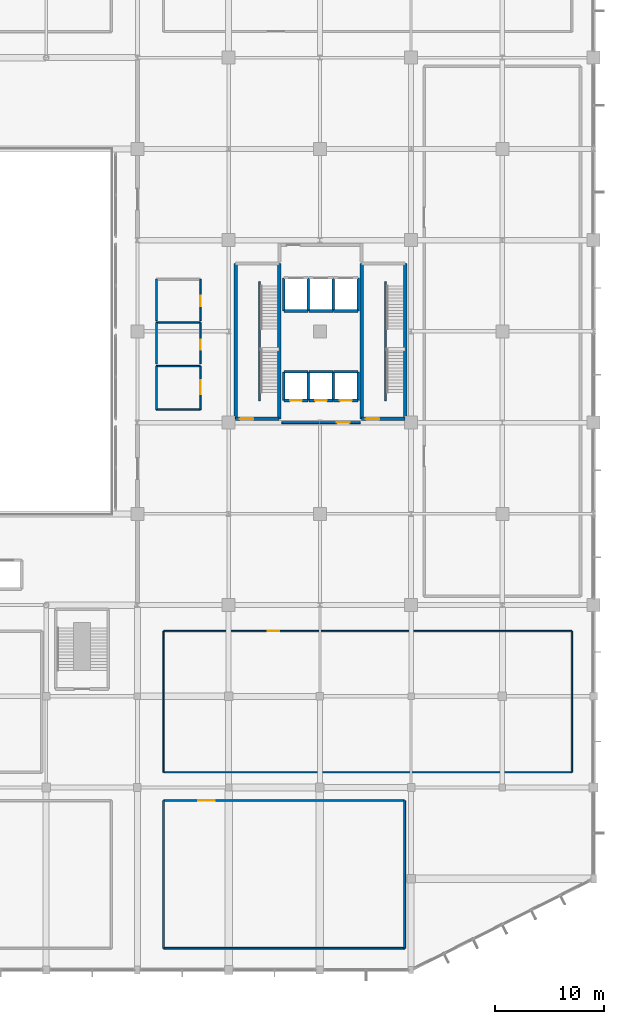
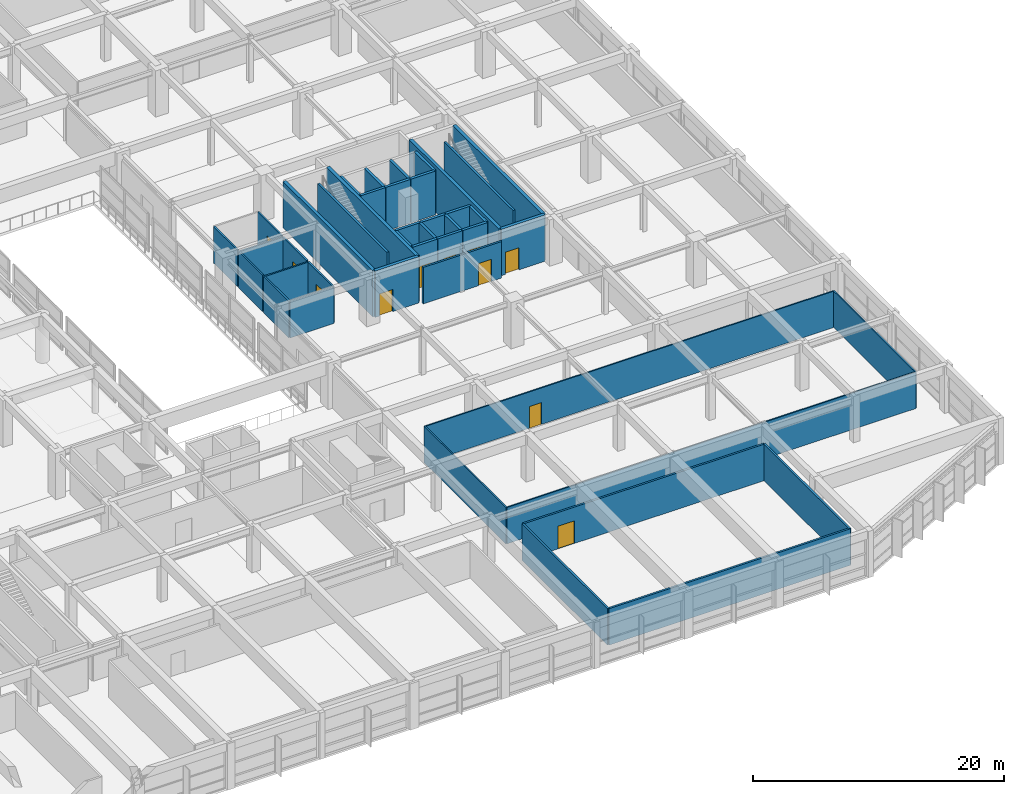
# One storey, part 55 of 65: 43 walls, 11 doors, 11 openings.
"""IFC4 building model written with IfcOpenShell, lengths in metres."""

from ifc_helpers import new_model, si_unit, direction, frame, frame_2d, origin, place, context, subcontext, project, spatial, rectangle, extrude, material, layer, layer_set, type_object, element, fill, save


model = new_model("IFC4")

# Units and contexts
model_context = context("Model", 3, precision=1e-05, world=origin(), true_north=direction((0.0, 1.0)))
body_context = subcontext(model_context, "Body", "Model", "MODEL_VIEW")
ifc_project = project(units=[si_unit("LENGTHUNIT", "METRE"), si_unit("AREAUNIT", "SQUARE_METRE"), si_unit("VOLUMEUNIT", "CUBIC_METRE"), si_unit("PLANEANGLEUNIT", "RADIAN"), si_unit("MASSUNIT", "GRAM", prefix="KILO")], contexts=[model_context])

# Site, building, storey
site_placement = place(None, origin())
site = spatial("IfcSite", under=ifc_project, at=site_placement, CompositionType="ELEMENT")
building_placement = place(site_placement, origin())
building = spatial("IfcBuilding", under=site, at=building_placement, Name="Xuanlan Plaza Opera House", CompositionType="ELEMENT")
storey_placement = place(building_placement, frame((0.0, 0.0, 5.39990234375)))
storey = spatial("IfcBuildingStorey", under=building, at=storey_placement, Name="L01", CompositionType="ELEMENT", Elevation=5.39990234375)

# Wall, opening, door
ifc_material_1 = material(Name="Gypsum Board and Galvanised Steel Studs", Category="gypsum")
ifc_layer_1 = layer(ifc_material_1, 0.179931640625)
ifc_layer_set_1 = layer_set([ifc_layer_1], Name="Gypsum Board and Galvanised Steel Studs")
wall_type_1 = type_object("IfcWallType", Name="INT-WL-PW-02", PredefinedType="PARTITIONING", material=ifc_layer_set_1)
wall_1_placement = place(storey_placement, frame((139.300048828125, 50.39990234375, 0.0), z_axis=(0.0, 0.0, 1.0), x_axis=(1.0, 0.0, 0.0)))
wall_1 = element("IfcWall", 1, at=wall_1_placement, inside=storey, type_object=wall_type_1, Name="Tower Lift Lobby Wall South", PredefinedType="PARTITIONING", context=body_context, shape_type="SweptSolid", body=[
    extrude(rectangle(XDim=7.199951171875, YDim=0.179931640625, at=frame_2d((3.60009765625, 0.0))), origin(), (0.0, 0.0, 1.0), 3.5400390625),
])
opening_1_placement = place(wall_1_placement, frame((5.050048828125, 0.0, 0.0)))
opening_1 = element("IfcOpeningElement", 2, at=opening_1_placement, cuts=wall_1, Name="Opening FD-02", PredefinedType="OPENING", context=body_context, shape_type="SweptSolid", body=[
    extrude(rectangle(XDim=1.199951171875, YDim=2.14990234375, at=frame_2d((0.60009765625, 1.074951171875))), frame((0.0, 0.099853515625, 0.0), z_axis=(0.0, -1.0, 0.0), x_axis=(1.0, 0.0, 0.0)), (0.0, 0.0, 1.0), 0.199951171875),
])
ifc_material_2 = material(Name="Galvanised Steel Q235B", Category="steel")
door_type_1 = type_object("IfcDoorType", Name="INT-DR-FD-02", OperationType="NOTDEFINED", PredefinedType="DOOR", material=ifc_material_2)
door_1_placement = place(opening_1_placement, frame((1.199951171875, 0.0, 0.0), z_axis=(0.0, 0.0, 1.0), x_axis=(-1.0, 0.0, 0.0)))
door_1 = element("IfcDoor", 3, at=door_1_placement, inside=storey, type_object=door_type_1, Name="Tower Lift Lobby Door 1", OperationType="SINGLE_SWING_RIGHT", OverallHeight=2.14990234375, OverallWidth=1.199951171875, PredefinedType="DOOR", context=body_context, shape_type="SweptSolid", body=[
    extrude(rectangle(XDim=1.199951171875, YDim=2.14990234375, at=frame_2d((0.60009765625, 1.074951171875))), frame((0.0, 0.02490234375, 0.0), z_axis=(0.0, -1.0, 0.0), x_axis=(1.0, 0.0, 0.0)), (0.0, 0.0, 1.0), 0.050048828125),
])
fill(opening_1, door_1)

# Wall
wall_2_placement = place(storey_placement, frame((128.39990234375, 2.0, 0.0), z_axis=(0.0, 0.0, 1.0), x_axis=(1.0, 0.0, 0.0)))
element("IfcWall", 4, at=wall_2_placement, inside=storey, type_object=wall_type_1, Name="Wig and Millinery Workshop Wall South", PredefinedType="PARTITIONING", context=body_context, shape_type="SweptSolid", body=[
    extrude(rectangle(XDim=22.2001953125, YDim=0.179931640625, at=frame_2d((11.10009765625, 0.0))), origin(), (0.0, 0.0, 1.0), 3.5400390625),
])

# Wall, opening, door
wall_3_placement = place(storey_placement, frame((128.39990234375, 15.60009765625, 0.0), z_axis=(0.0, 0.0, 1.0), x_axis=(1.0, 0.0, 0.0)))
wall_3 = element("IfcWall", 5, at=wall_3_placement, inside=storey, type_object=wall_type_1, Name="Wig and Millinery Workshop Wall North", PredefinedType="PARTITIONING", context=body_context, shape_type="SweptSolid", body=[
    extrude(rectangle(XDim=22.2001953125, YDim=0.179931640625, at=frame_2d((11.10009765625, 0.0))), origin(), (0.0, 0.0, 1.0), 3.5400390625),
])
opening_2_placement = place(wall_3_placement, frame((3.199951171875, 0.0, 0.0)))
opening_2 = element("IfcOpeningElement", 6, at=opening_2_placement, cuts=wall_3, Name="Opening D-03", PredefinedType="OPENING", context=body_context, shape_type="SweptSolid", body=[
    extrude(rectangle(XDim=1.5, YDim=2.199951171875, at=frame_2d((0.75, 1.10009765625))), frame((0.0, 0.099853515625, 0.0), z_axis=(0.0, -1.0, 0.0), x_axis=(1.0, 0.0, 0.0)), (0.0, 0.0, 1.0), 0.199951171875),
])
ifc_material_3 = material(Name="Walnut Hardwood Timber", Category="wood")
door_type_2 = type_object("IfcDoorType", Name="INT-DR-D-03", OperationType="DOUBLE_DOOR_SINGLE_SWING", PredefinedType="DOOR", material=ifc_material_3)
door_2_placement = place(opening_2_placement, origin())
door_2 = element("IfcDoor", 7, at=door_2_placement, inside=storey, type_object=door_type_2, Name="Wig and Millinery Workshop Door 1", OperationType="DOUBLE_DOOR_SINGLE_SWING", OverallHeight=2.199951171875, OverallWidth=1.5, PredefinedType="DOOR", context=body_context, shape_type="SweptSolid", body=[
    extrude(rectangle(XDim=1.5, YDim=2.199951171875, at=frame_2d((0.75, 1.10009765625))), frame((0.0, 0.02490234375, 0.0), z_axis=(0.0, -1.0, 0.0), x_axis=(1.0, 0.0, 0.0)), (0.0, 0.0, 1.0), 0.050048828125),
])
fill(opening_2, door_2)

# Walls
for number, where, z_axis, x_axis, name in (
    (8, (128.39990234375, 2.0, 0.0), (0.0, 0.0, 1.0), (0.0, 1.0, 0.0), "Wig and Millinery Workshop Wall West"),
    (9, (150.60009765625, 2.0, 0.0), (0.0, 0.0, 1.0), (0.0, 1.0, 0.0), "Wig and Millinery Workshop Wall East"),
):
    element("IfcWall", number, at=place(storey_placement, frame(where, z_axis=z_axis, x_axis=x_axis)), inside=storey, type_object=wall_type_1, Name=name, PredefinedType="PARTITIONING", context=body_context, shape_type="SweptSolid", body=[
        extrude(rectangle(XDim=13.60009765625, YDim=0.179931640625, at=frame_2d((6.800048828125, 0.0))), origin(), (0.0, 0.0, 1.0), 3.5400390625),
    ])
ifc_material_4 = material(Name="Autoclaved Aerated Blockwork Masonry", Category="masonry")
ifc_layer_2 = layer(ifc_material_4, 0.14990234375)
ifc_layer_set_2 = layer_set([ifc_layer_2], Name="Autoclaved Aerated Blockwork Masonry")
wall_type_2 = type_object("IfcWallType", Name="INT-WL-PW-03", PredefinedType="PARTITIONING", material=ifc_layer_set_2)
for number, where, z_axis, x_axis, name in (
    (10, (127.75, 51.60009765625, 0.0), (0.0, 0.0, 1.0), (1.0, 0.0, 0.0), "Public WC Wall South"),
    (11, (127.75, 55.60009765625, 0.0), (0.0, 0.0, 1.0), (1.0, 0.0, 0.0), "Public WC Wall North"),
):
    element("IfcWall", number, at=place(storey_placement, frame(where, z_axis=z_axis, x_axis=x_axis)), inside=storey, type_object=wall_type_2, Name=name, PredefinedType="PARTITIONING", context=body_context, shape_type="SweptSolid", body=[
        extrude(rectangle(XDim=4.050048828125, YDim=0.14990234375, at=frame_2d((2.02490234375, 0.0))), origin(), (0.0, 0.0, 1.0), 3.5400390625),
    ])
wall_4_placement = place(storey_placement, frame((127.75, 51.60009765625, 0.0), z_axis=(0.0, 0.0, 1.0), x_axis=(0.0, 1.0, 0.0)))
element("IfcWall", 12, at=wall_4_placement, inside=storey, type_object=wall_type_2, Name="Public WC Wall West", PredefinedType="PARTITIONING", context=body_context, shape_type="SweptSolid", body=[
    extrude(rectangle(XDim=4.0, YDim=0.14990234375, at=frame_2d((2.0, 0.0))), origin(), (0.0, 0.0, 1.0), 3.5400390625),
])

# Wall, opening, door
wall_5_placement = place(storey_placement, frame((131.800048828125, 51.60009765625, 0.0), z_axis=(0.0, 0.0, 1.0), x_axis=(0.0, 1.0, 0.0)))
wall_5 = element("IfcWall", 13, at=wall_5_placement, inside=storey, type_object=wall_type_2, Name="Public WC Wall East", PredefinedType="PARTITIONING", context=body_context, shape_type="SweptSolid", body=[
    extrude(rectangle(XDim=4.0, YDim=0.14990234375, at=frame_2d((2.0, 0.0))), origin(), (0.0, 0.0, 1.0), 3.5400390625),
])
opening_3_placement = place(wall_5_placement, frame((1.39990234375, 0.0, 0.0)))
opening_3 = element("IfcOpeningElement", 14, at=opening_3_placement, cuts=wall_5, Name="Opening D-07", PredefinedType="OPENING", context=body_context, shape_type="SweptSolid", body=[
    extrude(rectangle(XDim=1.320068359375, YDim=2.179931640625, at=frame_2d((0.66015625, 1.08984375))), frame((0.0, 0.0849609375, 0.0), z_axis=(0.0, -1.0, 0.0), x_axis=(1.0, 0.0, 0.0)), (0.0, 0.0, 1.0), 0.169921875),
])
door_type_3 = type_object("IfcDoorType", Name="INT-DR-D-07", OperationType="NOTDEFINED", PredefinedType="DOOR", material=ifc_material_3)
door_3_placement = place(opening_3_placement, origin())
door_3 = element("IfcDoor", 15, at=door_3_placement, inside=storey, type_object=door_type_3, Name="Public WC Door 1", OperationType="SINGLE_SWING_LEFT", OverallHeight=2.179931640625, OverallWidth=1.320068359375, PredefinedType="DOOR", context=body_context, shape_type="SweptSolid", body=[
    extrude(rectangle(XDim=1.320068359375, YDim=2.179931640625, at=frame_2d((0.66015625, 1.08984375))), frame((0.0, 0.02490234375, 0.0), z_axis=(0.0, -1.0, 0.0), x_axis=(1.0, 0.0, 0.0)), (0.0, 0.0, 1.0), 0.050048828125),
])
fill(opening_3, door_3)

# Walls
wall_6_placement = place(storey_placement, frame((127.75, 59.60009765625, 0.0), z_axis=(0.0, 0.0, 1.0), x_axis=(1.0, 0.0, 0.0)))
element("IfcWall", 16, at=wall_6_placement, inside=storey, type_object=wall_type_2, Name="Staff WC Wall North", PredefinedType="PARTITIONING", context=body_context, shape_type="SweptSolid", body=[
    extrude(rectangle(XDim=4.050048828125, YDim=0.14990234375, at=frame_2d((2.02490234375, 0.0))), origin(), (0.0, 0.0, 1.0), 3.5400390625),
])
wall_7_placement = place(storey_placement, frame((127.75, 55.800048828125, 0.0), z_axis=(0.0, 0.0, 1.0), x_axis=(0.0, 1.0, 0.0)))
element("IfcWall", 17, at=wall_7_placement, inside=storey, type_object=wall_type_2, Name="Staff WC Wall West", PredefinedType="PARTITIONING", context=body_context, shape_type="SweptSolid", body=[
    extrude(rectangle(XDim=3.800048828125, YDim=0.14990234375, at=frame_2d((1.89990234375, 0.0))), origin(), (0.0, 0.0, 1.0), 3.5400390625),
])

# Wall, opening, door
wall_8_placement = place(storey_placement, frame((131.800048828125, 55.800048828125, 0.0), z_axis=(0.0, 0.0, 1.0), x_axis=(0.0, 1.0, 0.0)))
wall_8 = element("IfcWall", 18, at=wall_8_placement, inside=storey, type_object=wall_type_2, Name="Staff WC Wall East", PredefinedType="PARTITIONING", context=body_context, shape_type="SweptSolid", body=[
    extrude(rectangle(XDim=3.800048828125, YDim=0.14990234375, at=frame_2d((1.89990234375, 0.0))), origin(), (0.0, 0.0, 1.0), 3.5400390625),
])
opening_4_placement = place(wall_8_placement, frame((1.300048828125, 0.0, 0.0)))
opening_4 = element("IfcOpeningElement", 19, at=opening_4_placement, cuts=wall_8, Name="Opening D-01", PredefinedType="OPENING", context=body_context, shape_type="SweptSolid", body=[
    extrude(rectangle(XDim=0.949951171875, YDim=2.10009765625, at=frame_2d((0.47509765625, 1.050048828125))), frame((0.0, 0.0849609375, 0.0), z_axis=(0.0, -1.0, 0.0), x_axis=(1.0, 0.0, 0.0)), (0.0, 0.0, 1.0), 0.169921875),
])
door_type_4 = type_object("IfcDoorType", Name="INT-DR-D-01", OperationType="NOTDEFINED", PredefinedType="DOOR", material=ifc_material_3)
door_4_placement = place(opening_4_placement, origin())
door_4 = element("IfcDoor", 20, at=door_4_placement, inside=storey, type_object=door_type_4, Name="Staff WC Door 1", OperationType="SINGLE_SWING_RIGHT", OverallHeight=2.10009765625, OverallWidth=0.949951171875, PredefinedType="DOOR", context=body_context, shape_type="SweptSolid", body=[
    extrude(rectangle(XDim=0.949951171875, YDim=2.10009765625, at=frame_2d((0.47509765625, 1.050048828125))), frame((0.0, 0.02490234375, 0.0), z_axis=(0.0, -1.0, 0.0), x_axis=(1.0, 0.0, 0.0)), (0.0, 0.0, 1.0), 0.050048828125),
])
fill(opening_4, door_4)

# Wall
wall_9_placement = place(storey_placement, frame((127.75, 59.800048828125, 0.0), z_axis=(0.0, 0.0, 1.0), x_axis=(0.0, 1.0, 0.0)))
element("IfcWall", 21, at=wall_9_placement, inside=storey, type_object=wall_type_2, Name="Accessible WC Wall West", PredefinedType="PARTITIONING", context=body_context, shape_type="SweptSolid", body=[
    extrude(rectangle(XDim=3.800048828125, YDim=0.14990234375, at=frame_2d((1.89990234375, 0.0))), origin(), (0.0, 0.0, 1.0), 3.5400390625),
])

# Wall, opening, door
wall_10_placement = place(storey_placement, frame((131.800048828125, 59.800048828125, 0.0), z_axis=(0.0, 0.0, 1.0), x_axis=(0.0, 1.0, 0.0)))
wall_10 = element("IfcWall", 22, at=wall_10_placement, inside=storey, type_object=wall_type_2, Name="Accessible WC Wall East", PredefinedType="PARTITIONING", context=body_context, shape_type="SweptSolid", body=[
    extrude(rectangle(XDim=3.800048828125, YDim=0.14990234375, at=frame_2d((1.89990234375, 0.0))), origin(), (0.0, 0.0, 1.0), 3.5400390625),
])
opening_5_placement = place(wall_10_placement, frame((1.300048828125, 0.0, 0.0)))
opening_5 = element("IfcOpeningElement", 23, at=opening_5_placement, cuts=wall_10, Name="Opening D-09", PredefinedType="OPENING", context=body_context, shape_type="SweptSolid", body=[
    extrude(rectangle(XDim=0.97998046875, YDim=2.1201171875, at=frame_2d((0.489990234375, 1.06005859375))), frame((0.0, 0.0849609375, 0.0), z_axis=(0.0, -1.0, 0.0), x_axis=(1.0, 0.0, 0.0)), (0.0, 0.0, 1.0), 0.169921875),
])
door_type_5 = type_object("IfcDoorType", Name="INT-DR-D-09", OperationType="NOTDEFINED", PredefinedType="DOOR", material=ifc_material_3)
door_5_placement = place(opening_5_placement, origin())
door_5 = element("IfcDoor", 24, at=door_5_placement, inside=storey, type_object=door_type_5, Name="Accessible WC Door 1", OperationType="SINGLE_SWING_LEFT", OverallHeight=2.1201171875, OverallWidth=0.97998046875, PredefinedType="DOOR", context=body_context, shape_type="SweptSolid", body=[
    extrude(rectangle(XDim=0.97998046875, YDim=2.1201171875, at=frame_2d((0.489990234375, 1.06005859375))), frame((0.0, 0.02490234375, 0.0), z_axis=(0.0, -1.0, 0.0), x_axis=(1.0, 0.0, 0.0)), (0.0, 0.0, 1.0), 0.050048828125),
])
fill(opening_5, door_5)

# Wall
ifc_layer_3 = layer(ifc_material_1, 0.1201171875)
ifc_layer_set_3 = layer_set([ifc_layer_3], Name="Gypsum Board and Galvanised Steel Studs")
wall_type_3 = type_object("IfcWallType", Name="INT-WL-PW-04", PredefinedType="PARTITIONING", material=ifc_layer_set_3)
wall_11_placement = place(storey_placement, frame((128.39990234375, 18.199951171875, 0.0), z_axis=(0.0, 0.0, 1.0), x_axis=(1.0, 0.0, 0.0)))
element("IfcWall", 25, at=wall_11_placement, inside=storey, type_object=wall_type_3, Name="Resident Company Administration Office Wall South", PredefinedType="PARTITIONING", context=body_context, shape_type="SweptSolid", body=[
    extrude(rectangle(XDim=37.60009765625, YDim=0.1201171875, at=frame_2d((18.800048828125, 0.0))), origin(), (0.0, 0.0, 1.0), 3.5400390625),
])

# Wall, opening, door
wall_12_placement = place(storey_placement, frame((128.39990234375, 31.199951171875, 0.0), z_axis=(0.0, 0.0, 1.0), x_axis=(1.0, 0.0, 0.0)))
wall_12 = element("IfcWall", 26, at=wall_12_placement, inside=storey, type_object=wall_type_3, Name="Resident Company Administration Office Wall North", PredefinedType="PARTITIONING", context=body_context, shape_type="SweptSolid", body=[
    extrude(rectangle(XDim=37.60009765625, YDim=0.1201171875, at=frame_2d((18.800048828125, 0.0))), origin(), (0.0, 0.0, 1.0), 3.5400390625),
])
opening_6_placement = place(wall_12_placement, frame((9.60009765625, 0.0, 0.0)))
opening_6 = element("IfcOpeningElement", 27, at=opening_6_placement, cuts=wall_12, Name="Opening D-06", PredefinedType="OPENING", context=body_context, shape_type="SweptSolid", body=[
    extrude(rectangle(XDim=1.080078125, YDim=2.1201171875, at=frame_2d((0.5400390625, 1.06005859375))), frame((0.0, 0.070068359375, 0.0), z_axis=(0.0, -1.0, 0.0), x_axis=(1.0, 0.0, 0.0)), (0.0, 0.0, 1.0), 0.14013671875),
])
ifc_material_5 = material(Name="Oak Hardwood Timber", Category="wood")
door_type_6 = type_object("IfcDoorType", Name="INT-DR-D-06", OperationType="NOTDEFINED", PredefinedType="DOOR", material=ifc_material_5)
door_6_placement = place(opening_6_placement, origin())
door_6 = element("IfcDoor", 28, at=door_6_placement, inside=storey, type_object=door_type_6, Name="Resident Company Administration Office Door 1", OperationType="SINGLE_SWING_RIGHT", OverallHeight=2.1201171875, OverallWidth=1.080078125, PredefinedType="DOOR", context=body_context, shape_type="SweptSolid", body=[
    extrude(rectangle(XDim=1.080078125, YDim=2.1201171875, at=frame_2d((0.5400390625, 1.06005859375))), frame((0.0, 0.02490234375, 0.0), z_axis=(0.0, -1.0, 0.0), x_axis=(1.0, 0.0, 0.0)), (0.0, 0.0, 1.0), 0.050048828125),
])
fill(opening_6, door_6)

# Walls
for number, where, z_axis, x_axis, name in (
    (29, (128.39990234375, 18.199951171875, 0.0), (0.0, 0.0, 1.0), (0.0, 1.0, 0.0), "Resident Company Administration Office Wall West"),
    (30, (166.0, 18.199951171875, 0.0), (0.0, 0.0, 1.0), (0.0, 1.0, 0.0), "Resident Company Administration Office Wall East"),
):
    element("IfcWall", number, at=place(storey_placement, frame(where, z_axis=z_axis, x_axis=x_axis)), inside=storey, type_object=wall_type_3, Name=name, PredefinedType="PARTITIONING", context=body_context, shape_type="SweptSolid", body=[
        extrude(rectangle(XDim=13.0, YDim=0.1201171875, at=frame_2d((6.5, 0.0))), origin(), (0.0, 0.0, 1.0), 3.5400390625),
    ])
ifc_material_6 = material(Name="Concrete C40", Category="concrete")
ifc_layer_4 = layer(ifc_material_6, 0.25)
ifc_layer_set_4 = layer_set([ifc_layer_4], Name="Concrete C40")
wall_type_4 = type_object("IfcWallType", Name="INT-WL-SW-LF1", PredefinedType="SHEAR", material=ifc_layer_set_4)
wall_13_placement = place(storey_placement, frame((139.47509765625, 60.675048828125, 0.0), z_axis=(0.0, 0.0, 1.0), x_axis=(1.0, 0.0, 0.0)))
element("IfcWall", 31, at=wall_13_placement, inside=storey, type_object=wall_type_4, Name="Lift Shaft Wall LF-FF1 L01 South", PredefinedType="SHEAR", context=body_context, shape_type="SweptSolid", body=[
    extrude(rectangle(XDim=2.25, YDim=0.25, at=frame_2d((1.125, 0.0))), origin(), (0.0, 0.0, 1.0), 4.239990234375),
])
for number, where, z_axis, x_axis, name in (
    (32, (139.47509765625, 60.675048828125, 0.0), (0.0, 0.0, 1.0), (0.0, 1.0, 0.0), "Lift Shaft Wall LF-FF1 L01 West"),
    (33, (141.72509765625, 60.675048828125, 0.0), (0.0, 0.0, 1.0), (0.0, 1.0, 0.0), "Lift Shaft Wall LF-FF1 L01 East"),
):
    element("IfcWall", number, at=place(storey_placement, frame(where, z_axis=z_axis, x_axis=x_axis)), inside=storey, type_object=wall_type_4, Name=name, PredefinedType="SHEAR", context=body_context, shape_type="SweptSolid", body=[
        extrude(rectangle(XDim=3.050048828125, YDim=0.25, at=frame_2d((1.52490234375, 0.0))), origin(), (0.0, 0.0, 1.0), 4.239990234375),
    ])
wall_14_placement = place(storey_placement, frame((141.77490234375, 60.675048828125, 0.0), z_axis=(0.0, 0.0, 1.0), x_axis=(1.0, 0.0, 0.0)))
element("IfcWall", 34, at=wall_14_placement, inside=storey, type_object=wall_type_4, Name="Lift Shaft Wall LF-FF2 L01 South", PredefinedType="SHEAR", context=body_context, shape_type="SweptSolid", body=[
    extrude(rectangle(XDim=2.25, YDim=0.25, at=frame_2d((1.125, 0.0))), origin(), (0.0, 0.0, 1.0), 4.239990234375),
])
wall_15_placement = place(storey_placement, frame((144.02490234375, 60.675048828125, 0.0), z_axis=(0.0, 0.0, 1.0), x_axis=(0.0, 1.0, 0.0)))
element("IfcWall", 35, at=wall_15_placement, inside=storey, type_object=wall_type_4, Name="Lift Shaft Wall LF-FF2 L01 East", PredefinedType="SHEAR", context=body_context, shape_type="SweptSolid", body=[
    extrude(rectangle(XDim=3.050048828125, YDim=0.25, at=frame_2d((1.52490234375, 0.0))), origin(), (0.0, 0.0, 1.0), 4.239990234375),
])
wall_16_placement = place(storey_placement, frame((144.074951171875, 60.675048828125, 0.0), z_axis=(0.0, 0.0, 1.0), x_axis=(1.0, 0.0, 0.0)))
element("IfcWall", 36, at=wall_16_placement, inside=storey, type_object=wall_type_4, Name="Lift Shaft Wall LF-FF3 L01 South", PredefinedType="SHEAR", context=body_context, shape_type="SweptSolid", body=[
    extrude(rectangle(XDim=2.25, YDim=0.25, at=frame_2d((1.125, 0.0))), origin(), (0.0, 0.0, 1.0), 4.239990234375),
])
wall_17_placement = place(storey_placement, frame((146.324951171875, 60.675048828125, 0.0), z_axis=(0.0, 0.0, 1.0), x_axis=(0.0, 1.0, 0.0)))
element("IfcWall", 37, at=wall_17_placement, inside=storey, type_object=wall_type_4, Name="Lift Shaft Wall LF-FF3 L01 East", PredefinedType="SHEAR", context=body_context, shape_type="SweptSolid", body=[
    extrude(rectangle(XDim=3.050048828125, YDim=0.25, at=frame_2d((1.52490234375, 0.0))), origin(), (0.0, 0.0, 1.0), 4.239990234375),
])

# Wall, opening, door
wall_18_placement = place(storey_placement, frame((139.47509765625, 52.425048828125, 0.0), z_axis=(0.0, 0.0, 1.0), x_axis=(1.0, 0.0, 0.0)))
wall_18 = element("IfcWall", 38, at=wall_18_placement, inside=storey, type_object=wall_type_4, Name="Lift Shaft Wall LF-P1 L01 South", PredefinedType="SHEAR", context=body_context, shape_type="SweptSolid", body=[
    extrude(rectangle(XDim=2.25, YDim=0.25, at=frame_2d((1.125, 0.0))), origin(), (0.0, 0.0, 1.0), 4.239990234375),
])
opening_7_placement = place(wall_18_placement, frame((0.574951171875, 0.0, 0.0)))
opening_7 = element("IfcOpeningElement", 39, at=opening_7_placement, cuts=wall_18, Name="Opening LD-P1-L01", PredefinedType="OPENING", context=body_context, shape_type="SweptSolid", body=[
    extrude(rectangle(XDim=1.10009765625, YDim=2.14990234375, at=frame_2d((0.550048828125, 1.074951171875))), frame((0.0, 0.135009765625, 0.0), z_axis=(0.0, -1.0, 0.0), x_axis=(1.0, 0.0, 0.0)), (0.0, 0.0, 1.0), 0.27001953125),
])
ifc_material_7 = material(Name="Stainless Steel S30408", Category="steel")
door_type_7 = type_object("IfcDoorType", Name="INT-DR-LD-01", OperationType="DOUBLE_DOOR_SLIDING", PredefinedType="DOOR", material=ifc_material_7)
door_7_placement = place(opening_7_placement, origin())
door_7 = element("IfcDoor", 40, at=door_7_placement, inside=storey, type_object=door_type_7, Name="Lift Sliding Landing Door LF-P1 L01", OperationType="DOUBLE_DOOR_SLIDING", OverallHeight=2.14990234375, OverallWidth=1.10009765625, PredefinedType="DOOR", context=body_context, shape_type="SweptSolid", body=[
    extrude(rectangle(XDim=1.10009765625, YDim=2.14990234375, at=frame_2d((0.550048828125, 1.074951171875))), frame((0.0, 0.02490234375, 0.0), z_axis=(0.0, -1.0, 0.0), x_axis=(1.0, 0.0, 0.0)), (0.0, 0.0, 1.0), 0.050048828125),
])
fill(opening_7, door_7)

# Walls
wall_19_placement = place(storey_placement, frame((139.47509765625, 55.074951171875, 0.0), z_axis=(0.0, 0.0, 1.0), x_axis=(1.0, 0.0, 0.0)))
element("IfcWall", 41, at=wall_19_placement, inside=storey, type_object=wall_type_4, Name="Lift Shaft Wall LF-P1 L01 North", PredefinedType="SHEAR", context=body_context, shape_type="SweptSolid", body=[
    extrude(rectangle(XDim=2.25, YDim=0.25, at=frame_2d((1.125, 0.0))), origin(), (0.0, 0.0, 1.0), 4.239990234375),
])
for number, where, z_axis, x_axis, name in (
    (42, (139.47509765625, 52.425048828125, 0.0), (0.0, 0.0, 1.0), (0.0, 1.0, 0.0), "Lift Shaft Wall LF-P1 L01 West"),
    (43, (141.72509765625, 52.425048828125, 0.0), (0.0, 0.0, 1.0), (0.0, 1.0, 0.0), "Lift Shaft Wall LF-P1 L01 East"),
):
    element("IfcWall", number, at=place(storey_placement, frame(where, z_axis=z_axis, x_axis=x_axis)), inside=storey, type_object=wall_type_4, Name=name, PredefinedType="SHEAR", context=body_context, shape_type="SweptSolid", body=[
        extrude(rectangle(XDim=2.64990234375, YDim=0.25, at=frame_2d((1.324951171875, 0.0))), origin(), (0.0, 0.0, 1.0), 4.239990234375),
    ])

# Wall, opening, door
wall_20_placement = place(storey_placement, frame((141.77490234375, 52.425048828125, 0.0), z_axis=(0.0, 0.0, 1.0), x_axis=(1.0, 0.0, 0.0)))
wall_20 = element("IfcWall", 44, at=wall_20_placement, inside=storey, type_object=wall_type_4, Name="Lift Shaft Wall LF-P2 L01 South", PredefinedType="SHEAR", context=body_context, shape_type="SweptSolid", body=[
    extrude(rectangle(XDim=2.25, YDim=0.25, at=frame_2d((1.125, 0.0))), origin(), (0.0, 0.0, 1.0), 4.239990234375),
])
opening_8_placement = place(wall_20_placement, frame((0.574951171875, 0.0, 0.0)))
opening_8 = element("IfcOpeningElement", 45, at=opening_8_placement, cuts=wall_20, Name="Opening LD-P2-L01", PredefinedType="OPENING", context=body_context, shape_type="SweptSolid", body=[
    extrude(rectangle(XDim=1.10009765625, YDim=2.14990234375, at=frame_2d((0.550048828125, 1.074951171875))), frame((0.0, 0.135009765625, 0.0), z_axis=(0.0, -1.0, 0.0), x_axis=(1.0, 0.0, 0.0)), (0.0, 0.0, 1.0), 0.27001953125),
])
door_8_placement = place(opening_8_placement, origin())
door_8 = element("IfcDoor", 46, at=door_8_placement, inside=storey, type_object=door_type_7, Name="Lift Sliding Landing Door LF-P2 L01", OperationType="DOUBLE_DOOR_SLIDING", OverallHeight=2.14990234375, OverallWidth=1.10009765625, PredefinedType="DOOR", context=body_context, shape_type="SweptSolid", body=[
    extrude(rectangle(XDim=1.10009765625, YDim=2.14990234375, at=frame_2d((0.550048828125, 1.074951171875))), frame((0.0, 0.02490234375, 0.0), z_axis=(0.0, -1.0, 0.0), x_axis=(1.0, 0.0, 0.0)), (0.0, 0.0, 1.0), 0.050048828125),
])
fill(opening_8, door_8)

# Walls
wall_21_placement = place(storey_placement, frame((141.77490234375, 55.074951171875, 0.0), z_axis=(0.0, 0.0, 1.0), x_axis=(1.0, 0.0, 0.0)))
element("IfcWall", 47, at=wall_21_placement, inside=storey, type_object=wall_type_4, Name="Lift Shaft Wall LF-P2 L01 North", PredefinedType="SHEAR", context=body_context, shape_type="SweptSolid", body=[
    extrude(rectangle(XDim=2.25, YDim=0.25, at=frame_2d((1.125, 0.0))), origin(), (0.0, 0.0, 1.0), 4.239990234375),
])
wall_22_placement = place(storey_placement, frame((144.02490234375, 52.425048828125, 0.0), z_axis=(0.0, 0.0, 1.0), x_axis=(0.0, 1.0, 0.0)))
element("IfcWall", 48, at=wall_22_placement, inside=storey, type_object=wall_type_4, Name="Lift Shaft Wall LF-P2 L01 East", PredefinedType="SHEAR", context=body_context, shape_type="SweptSolid", body=[
    extrude(rectangle(XDim=2.64990234375, YDim=0.25, at=frame_2d((1.324951171875, 0.0))), origin(), (0.0, 0.0, 1.0), 4.239990234375),
])

# Wall, opening, door
wall_23_placement = place(storey_placement, frame((144.074951171875, 52.425048828125, 0.0), z_axis=(0.0, 0.0, 1.0), x_axis=(1.0, 0.0, 0.0)))
wall_23 = element("IfcWall", 49, at=wall_23_placement, inside=storey, type_object=wall_type_4, Name="Lift Shaft Wall LF-P3 L01 South", PredefinedType="SHEAR", context=body_context, shape_type="SweptSolid", body=[
    extrude(rectangle(XDim=2.25, YDim=0.25, at=frame_2d((1.125, 0.0))), origin(), (0.0, 0.0, 1.0), 4.239990234375),
])
opening_9_placement = place(wall_23_placement, frame((0.574951171875, 0.0, 0.0)))
opening_9 = element("IfcOpeningElement", 50, at=opening_9_placement, cuts=wall_23, Name="Opening LD-P3-L01", PredefinedType="OPENING", context=body_context, shape_type="SweptSolid", body=[
    extrude(rectangle(XDim=1.10009765625, YDim=2.14990234375, at=frame_2d((0.550048828125, 1.074951171875))), frame((0.0, 0.135009765625, 0.0), z_axis=(0.0, -1.0, 0.0), x_axis=(1.0, 0.0, 0.0)), (0.0, 0.0, 1.0), 0.27001953125),
])
door_9_placement = place(opening_9_placement, origin())
door_9 = element("IfcDoor", 51, at=door_9_placement, inside=storey, type_object=door_type_7, Name="Lift Sliding Landing Door LF-P3 L01", OperationType="DOUBLE_DOOR_SLIDING", OverallHeight=2.14990234375, OverallWidth=1.10009765625, PredefinedType="DOOR", context=body_context, shape_type="SweptSolid", body=[
    extrude(rectangle(XDim=1.10009765625, YDim=2.14990234375, at=frame_2d((0.550048828125, 1.074951171875))), frame((0.0, 0.02490234375, 0.0), z_axis=(0.0, -1.0, 0.0), x_axis=(1.0, 0.0, 0.0)), (0.0, 0.0, 1.0), 0.050048828125),
])
fill(opening_9, door_9)

# Walls
wall_24_placement = place(storey_placement, frame((144.074951171875, 55.074951171875, 0.0), z_axis=(0.0, 0.0, 1.0), x_axis=(1.0, 0.0, 0.0)))
element("IfcWall", 52, at=wall_24_placement, inside=storey, type_object=wall_type_4, Name="Lift Shaft Wall LF-P3 L01 North", PredefinedType="SHEAR", context=body_context, shape_type="SweptSolid", body=[
    extrude(rectangle(XDim=2.25, YDim=0.25, at=frame_2d((1.125, 0.0))), origin(), (0.0, 0.0, 1.0), 4.239990234375),
])
wall_25_placement = place(storey_placement, frame((146.324951171875, 52.425048828125, 0.0), z_axis=(0.0, 0.0, 1.0), x_axis=(0.0, 1.0, 0.0)))
element("IfcWall", 53, at=wall_25_placement, inside=storey, type_object=wall_type_4, Name="Lift Shaft Wall LF-P3 L01 East", PredefinedType="SHEAR", context=body_context, shape_type="SweptSolid", body=[
    extrude(rectangle(XDim=2.64990234375, YDim=0.25, at=frame_2d((1.324951171875, 0.0))), origin(), (0.0, 0.0, 1.0), 4.239990234375),
])
ifc_layer_5 = layer(ifc_material_6, 0.199951171875)
ifc_layer_set_5 = layer_set([ifc_layer_5], Name="Concrete C40")
wall_type_5 = type_object("IfcWallType", Name="INT-WL-SW-SPN", PredefinedType="SHEAR", material=ifc_layer_set_5)
for number, where, z_axis, x_axis, name in (
    (54, (137.25, 52.39990234375, 0.0), (0.0, 0.0, 1.0), (0.0, 1.0, 0.0), "Stair Structural Spine Wall ST-T1 L01"),
    (55, (148.85009765625, 52.39990234375, 0.0), (0.0, 0.0, 1.0), (0.0, 1.0, 0.0), "Stair Structural Spine Wall ST-T2 L01"),
):
    element("IfcWall", number, at=place(storey_placement, frame(where, z_axis=z_axis, x_axis=x_axis)), inside=storey, type_object=wall_type_5, Name=name, PredefinedType="SHEAR", context=body_context, shape_type="SweptSolid", body=[
        extrude(rectangle(XDim=11.0, YDim=0.199951171875, at=frame_2d((5.5, 0.0))), origin(), (0.0, 0.0, 1.0), 4.5),
    ])

# Wall, opening, door
ifc_layer_6 = layer(ifc_material_6, 0.300048828125)
ifc_layer_set_6 = layer_set([ifc_layer_6], Name="Concrete C40")
wall_type_6 = type_object("IfcWallType", Name="INT-WL-SW-ST1", PredefinedType="SHEAR", material=ifc_layer_set_6)
wall_26_placement = place(storey_placement, frame((135.050048828125, 50.75, 0.0), z_axis=(0.0, 0.0, 1.0), x_axis=(1.0, 0.0, 0.0)))
wall_26 = element("IfcWall", 56, at=wall_26_placement, inside=storey, type_object=wall_type_6, Name="Stair Core Wall ST-T1 L01 South", PredefinedType="SHEAR", context=body_context, shape_type="SweptSolid", body=[
    extrude(rectangle(XDim=4.0, YDim=0.300048828125, at=frame_2d((2.0, 0.0))), origin(), (0.0, 0.0, 1.0), 4.5),
])
opening_10_placement = place(wall_26_placement, frame((0.375, 0.0, 0.0)))
opening_10 = element("IfcOpeningElement", 57, at=opening_10_placement, cuts=wall_26, Name="Opening FD-ST1", PredefinedType="OPENING", context=body_context, shape_type="SweptSolid", body=[
    extrude(rectangle(XDim=1.25, YDim=2.14990234375, at=frame_2d((0.625, 1.074951171875))), frame((0.0, 0.159912109375, 0.0), z_axis=(0.0, -1.0, 0.0), x_axis=(1.0, 0.0, 0.0)), (0.0, 0.0, 1.0), 0.320068359375),
])
door_type_8 = type_object("IfcDoorType", Name="INT-DR-FD-ST1", OperationType="NOTDEFINED", PredefinedType="DOOR", material=ifc_material_2)
door_10_placement = place(opening_10_placement, origin())
door_10 = element("IfcDoor", 58, at=door_10_placement, inside=storey, type_object=door_type_8, Name="Stair Enclosure Fire Door ST-T1 L01", OperationType="SINGLE_SWING_LEFT", OverallHeight=2.14990234375, OverallWidth=1.25, PredefinedType="DOOR", context=body_context, shape_type="SweptSolid", body=[
    extrude(rectangle(XDim=1.25, YDim=2.14990234375, at=frame_2d((0.625, 1.074951171875))), frame((0.0, 0.02490234375, 0.0), z_axis=(0.0, -1.0, 0.0), x_axis=(1.0, 0.0, 0.0)), (0.0, 0.0, 1.0), 0.050048828125),
])
fill(opening_10, door_10)

# Walls
for number, where, z_axis, x_axis, name in (
    (59, (135.050048828125, 50.75, 0.0), (0.0, 0.0, 1.0), (0.0, 1.0, 0.0), "Stair Core Wall ST-T1 L01 West"),
    (60, (139.050048828125, 50.75, 0.0), (0.0, 0.0, 1.0), (0.0, 1.0, 0.0), "Stair Core Wall ST-T1 L01 East"),
):
    element("IfcWall", number, at=place(storey_placement, frame(where, z_axis=z_axis, x_axis=x_axis)), inside=storey, type_object=wall_type_6, Name=name, PredefinedType="SHEAR", context=body_context, shape_type="SweptSolid", body=[
        extrude(rectangle(XDim=14.300048828125, YDim=0.300048828125, at=frame_2d((7.14990234375, 0.0))), origin(), (0.0, 0.0, 1.0), 4.5),
    ])

# Wall, opening, door
wall_27_placement = place(storey_placement, frame((146.64990234375, 50.75, 0.0), z_axis=(0.0, 0.0, 1.0), x_axis=(1.0, 0.0, 0.0)))
wall_27 = element("IfcWall", 61, at=wall_27_placement, inside=storey, type_object=wall_type_6, Name="Stair Core Wall ST-T2 L01 South", PredefinedType="SHEAR", context=body_context, shape_type="SweptSolid", body=[
    extrude(rectangle(XDim=4.0, YDim=0.300048828125, at=frame_2d((2.0, 0.0))), origin(), (0.0, 0.0, 1.0), 4.5),
])
opening_11_placement = place(wall_27_placement, frame((0.375, 0.0, 0.0)))
opening_11 = element("IfcOpeningElement", 62, at=opening_11_placement, cuts=wall_27, Name="Opening FD-ST1", PredefinedType="OPENING", context=body_context, shape_type="SweptSolid", body=[
    extrude(rectangle(XDim=1.25, YDim=2.14990234375, at=frame_2d((0.625, 1.074951171875))), frame((0.0, 0.159912109375, 0.0), z_axis=(0.0, -1.0, 0.0), x_axis=(1.0, 0.0, 0.0)), (0.0, 0.0, 1.0), 0.320068359375),
])
door_11_placement = place(opening_11_placement, origin())
door_11 = element("IfcDoor", 63, at=door_11_placement, inside=storey, type_object=door_type_8, Name="Stair Enclosure Fire Door ST-T2 L01", OperationType="SINGLE_SWING_RIGHT", OverallHeight=2.14990234375, OverallWidth=1.25, PredefinedType="DOOR", context=body_context, shape_type="SweptSolid", body=[
    extrude(rectangle(XDim=1.25, YDim=2.14990234375, at=frame_2d((0.625, 1.074951171875))), frame((0.0, 0.02490234375, 0.0), z_axis=(0.0, -1.0, 0.0), x_axis=(1.0, 0.0, 0.0)), (0.0, 0.0, 1.0), 0.050048828125),
])
fill(opening_11, door_11)

# Walls
for number, where, z_axis, x_axis, name in (
    (64, (146.64990234375, 50.75, 0.0), (0.0, 0.0, 1.0), (0.0, 1.0, 0.0), "Stair Core Wall ST-T2 L01 West"),
    (65, (150.64990234375, 50.75, 0.0), (0.0, 0.0, 1.0), (0.0, 1.0, 0.0), "Stair Core Wall ST-T2 L01 East"),
):
    element("IfcWall", number, at=place(storey_placement, frame(where, z_axis=z_axis, x_axis=x_axis)), inside=storey, type_object=wall_type_6, Name=name, PredefinedType="SHEAR", context=body_context, shape_type="SweptSolid", body=[
        extrude(rectangle(XDim=14.300048828125, YDim=0.300048828125, at=frame_2d((7.14990234375, 0.0))), origin(), (0.0, 0.0, 1.0), 4.5),
    ])

save(model, "model.ifc")
